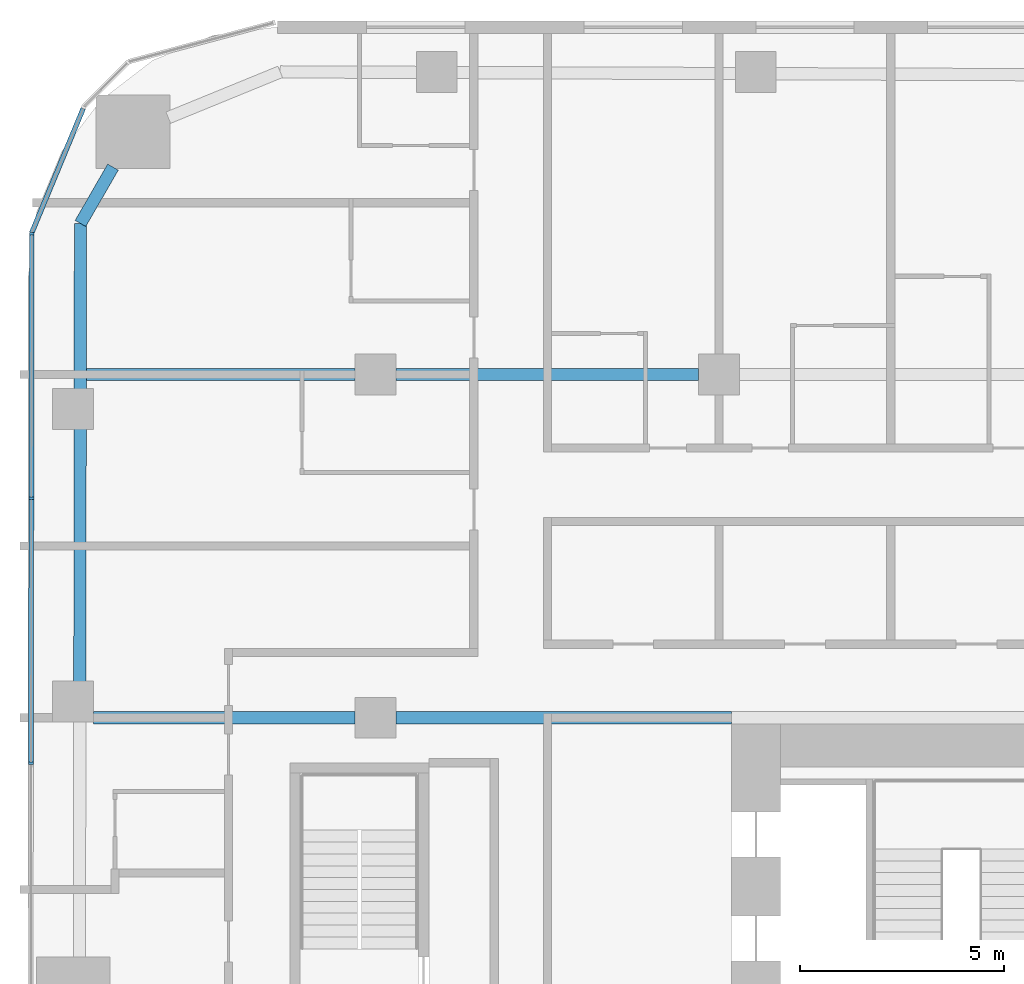
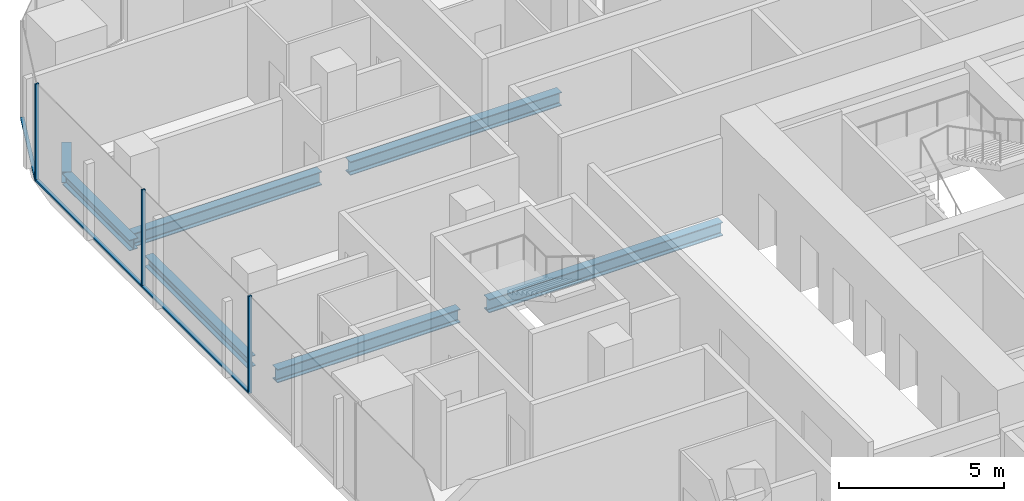
# One storey, part 8 of 26: 7 beams, 6 members, 2 elements without a shape of their own.
"""IFC4 building model written with IfcOpenShell, lengths in metres."""

from ifc_helpers import new_model, si_unit, direction, frame, origin, origin_2d, place, context, subcontext, project, spatial, rectangle, i_section, extrude, material, layer, layer_set, material_profile, profile_set, type_object, element, aggregate, save


model = new_model("IFC4")

# Units and contexts
model_context = context("Model", 3, precision=1e-05, world=origin(), true_north=direction((0.0, 1.0)))
body_context = subcontext(model_context, "Body", "Model", "MODEL_VIEW")
ifc_project = project(units=[si_unit("LENGTHUNIT", "METRE"), si_unit("AREAUNIT", "SQUARE_METRE"), si_unit("VOLUMEUNIT", "CUBIC_METRE"), si_unit("PLANEANGLEUNIT", "RADIAN"), si_unit("MASSUNIT", "GRAM", prefix="KILO")], contexts=[model_context])

# Site, building, storey
site_placement = place(None, origin())
site = spatial("IfcSite", under=ifc_project, at=site_placement, CompositionType="ELEMENT")
building_placement = place(site_placement, origin())
building = spatial("IfcBuilding", under=site, at=building_placement, Name="Marenta Gate Hotel Tower", CompositionType="ELEMENT")
storey_placement = place(building_placement, frame((0.0, 0.0, 58.10009765625)))
storey = spatial("IfcBuildingStorey", under=building, at=storey_placement, Name="L12", CompositionType="ELEMENT", Elevation=58.10009765625)

# Beams
ifc_material_1 = material(Name="Steel S355", Category="steel")
ifc_material_profile_1 = material_profile(ifc_material_1, i_section(OverallWidth=0.300048828125, OverallDepth=0.39990234375, WebThickness=0.013427734375, FlangeThickness=0.02392578125, FilletRadius=0.027099609375, at=origin_2d()), Name="HEB 400")
ifc_profile_set_1 = profile_set([ifc_material_profile_1], Name="Steel S355")
beam_type_1 = type_object("IfcBeamType", Name="Edge beam HEB 400", PredefinedType="SPANDREL", material=ifc_profile_set_1)
beam_1_placement = place(storey_placement, frame((-28.23681640625, 17.6630859375, -0.460205078125), z_axis=(0.001370827476, 0.999999060416, 0.0), x_axis=(-0.999999060416, 0.001370827476, 0.0)))
element("IfcBeam", 1, at=beam_1_placement, inside=storey, type_object=beam_type_1, Name="L12-EB-9", PredefinedType="SPANDREL", context=body_context, shape_type="SweptSolid", body=[
    extrude(i_section(OverallWidth=0.300048828125, OverallDepth=0.39990234375, WebThickness=0.013427734375, FlangeThickness=0.02392578125, FilletRadius=0.027099609375, at=origin_2d()), origin(), (0.0, 0.0, 1.0), 6.2333984375),
])
beam_2_placement = place(storey_placement, frame((-28.22705078125, 24.81640625, -0.460205078125), z_axis=(0.001377821732, 0.999999050803, 0.0), x_axis=(-0.999999050803, 0.001377821732, 0.0)))
element("IfcBeam", 2, at=beam_2_placement, inside=storey, type_object=beam_type_1, Name="L12-EB-10", PredefinedType="SPANDREL", context=body_context, shape_type="SweptSolid", body=[
    extrude(i_section(OverallWidth=0.300048828125, OverallDepth=0.39990234375, WebThickness=0.013427734375, FlangeThickness=0.02392578125, FilletRadius=0.027099609375, at=origin_2d()), origin(), (0.0, 0.0, 1.0), 4.075439453125),
])
beam_3_placement = place(storey_placement, frame((-28.221435546875, 28.891845703125, -0.460205078125), z_axis=(0.500098681536, 0.865968422476, 0.0), x_axis=(-0.865968422476, 0.500098681536, 0.0)))
element("IfcBeam", 3, at=beam_3_placement, inside=storey, type_object=beam_type_1, Name="L12-EB-11", PredefinedType="SPANDREL", context=body_context, shape_type="SweptSolid", body=[
    extrude(i_section(OverallWidth=0.300048828125, OverallDepth=0.39990234375, WebThickness=0.013427734375, FlangeThickness=0.02392578125, FilletRadius=0.027099609375, at=origin_2d()), origin(), (0.0, 0.0, 1.0), 1.591552734375),
])
ifc_material_2 = material(Name="Steel S355", Category="steel")
ifc_material_profile_2 = material_profile(ifc_material_2, i_section(OverallWidth=0.300048828125, OverallDepth=0.5, WebThickness=0.014404296875, FlangeThickness=0.028076171875, FilletRadius=0.027099609375, at=origin_2d()), Name="HEB 500")
ifc_profile_set_2 = profile_set([ifc_material_profile_2], Name="Steel S355")
beam_type_2 = type_object("IfcBeamType", Name="Girder HEB 500", PredefinedType="BEAM", material=ifc_profile_set_2)
beam_4_placement = place(storey_placement, frame((-27.89990234375, 16.800048828125, -0.510009765625), z_axis=(1.0, 0.0, 0.0), x_axis=(0.0, 1.0, 0.0)))
element("IfcBeam", 4, at=beam_4_placement, inside=storey, type_object=beam_type_2, Name="L12-GD-17", PredefinedType="BEAM", context=body_context, shape_type="SweptSolid", body=[
    extrude(i_section(OverallWidth=0.300048828125, OverallDepth=0.5, WebThickness=0.014404296875, FlangeThickness=0.028076171875, FilletRadius=0.027099609375, at=origin_2d()), origin(), (0.0, 0.0, 1.0), 6.39990234375),
])
beam_5_placement = place(storey_placement, frame((-20.5, 16.800048828125, -0.510009765625), z_axis=(1.0, 0.0, 0.0), x_axis=(0.0, 1.0, 0.0)))
element("IfcBeam", 5, at=beam_5_placement, inside=storey, type_object=beam_type_2, Name="L12-GD-18", PredefinedType="BEAM", context=body_context, shape_type="SweptSolid", body=[
    extrude(i_section(OverallWidth=0.300048828125, OverallDepth=0.5, WebThickness=0.014404296875, FlangeThickness=0.028076171875, FilletRadius=0.027099609375, at=origin_2d()), origin(), (0.0, 0.0, 1.0), 8.199951171875),
])
beam_6_placement = place(storey_placement, frame((-28.076416015625, 25.199951171875, -0.510009765625), z_axis=(1.0, 0.0, 0.0), x_axis=(0.0, 1.0, 0.0)))
element("IfcBeam", 6, at=beam_6_placement, inside=storey, type_object=beam_type_2, Name="L12-GD-22", PredefinedType="BEAM", context=body_context, shape_type="SweptSolid", body=[
    extrude(i_section(OverallWidth=0.300048828125, OverallDepth=0.5, WebThickness=0.014404296875, FlangeThickness=0.028076171875, FilletRadius=0.027099609375, at=origin_2d()), origin(), (0.0, 0.0, 1.0), 6.576416015625),
])
beam_7_placement = place(storey_placement, frame((-20.5, 25.199951171875, -0.510009765625), z_axis=(1.0, 0.0, 0.0), x_axis=(0.0, 1.0, 0.0)))
element("IfcBeam", 7, at=beam_7_placement, inside=storey, type_object=beam_type_2, Name="L12-GD-23", PredefinedType="BEAM", context=body_context, shape_type="SweptSolid", body=[
    extrude(i_section(OverallWidth=0.300048828125, OverallDepth=0.5, WebThickness=0.014404296875, FlangeThickness=0.028076171875, FilletRadius=0.027099609375, at=origin_2d()), origin(), (0.0, 0.0, 1.0), 7.39990234375),
])

# Curtain wall, members
ifc_material_3 = material(Name="Tinted insulated glass in bronze anodised frame", Category="glass")
ifc_layer = layer(ifc_material_3, 0.1201171875)
ifc_layer_set = layer_set([ifc_layer], Name="Tinted insulated glass in bronze anodised frame")
curtain_wall_type = type_object("IfcCurtainWallType", Name="Tower unitised curtain wall CW1", PredefinedType="NOTDEFINED", material=ifc_layer_set)
curtain_wall_1_placement = place(storey_placement, origin())
curtain_wall_1 = element("IfcCurtainWall", 8, at=curtain_wall_1_placement, inside=storey, type_object=curtain_wall_type, Name="CW1 run G03", PredefinedType="NOTDEFINED")
ifc_material_4 = material(Name="Bronze anodised aluminium", Category="aluminium")
ifc_material_profile_3 = material_profile(ifc_material_4, rectangle(XDim=0.1201171875, YDim=0.06005859375, at=origin_2d()), Name="Mullion CW1 60x120 bronze anodised aluminium")
ifc_profile_set_3 = profile_set([ifc_material_profile_3], Name="Bronze anodised aluminium")
member_type_1 = type_object("IfcMemberType", Name="Mullion CW1 60x120 bronze anodised aluminium", PredefinedType="MULLION", material=ifc_profile_set_3)
member_1_placement = place(storey_placement, frame((-29.412353515625, 28.63623046875, 0.0), z_axis=(0.0, 0.0, 1.0), x_axis=(0.99999877316, -0.00156642217, 0.0)))
member_1 = element("IfcMember", 9, at=member_1_placement, type_object=member_type_1, Name="CW1 mullion 1", PredefinedType="MULLION", context=body_context, shape_type="SweptSolid", body=[
    extrude(rectangle(XDim=0.1201171875, YDim=0.06005859375, at=origin_2d()), origin(), (0.0, 0.0, 1.0), 3.599853515625),
])
member_2_placement = place(storey_placement, frame((-29.42236328125, 22.17578125, 0.0), z_axis=(0.0, 0.0, 1.0), x_axis=(0.99999877316, -0.00156642217, 0.0)))
member_2 = element("IfcMember", 10, at=member_2_placement, type_object=member_type_1, Name="CW1 mullion 2", PredefinedType="MULLION", context=body_context, shape_type="SweptSolid", body=[
    extrude(rectangle(XDim=0.1201171875, YDim=0.06005859375, at=origin_2d()), origin(), (0.0, 0.0, 1.0), 3.599853515625),
])
member_3_placement = place(storey_placement, frame((-29.4326171875, 15.685546875, 0.0), z_axis=(0.0, 0.0, 1.0), x_axis=(0.99999877316, -0.00156642217, 0.0)))
member_3 = element("IfcMember", 11, at=member_3_placement, type_object=member_type_1, Name="CW1 mullion 3", PredefinedType="MULLION", context=body_context, shape_type="SweptSolid", body=[
    extrude(rectangle(XDim=0.1201171875, YDim=0.06005859375, at=origin_2d()), origin(), (0.0, 0.0, 1.0), 3.599853515625),
])

# Curtain wall, member
curtain_wall_2_placement = place(storey_placement, origin())
curtain_wall_2 = element("IfcCurtainWall", 12, at=curtain_wall_2_placement, inside=storey, type_object=curtain_wall_type, Name="CW1 run G02", PredefinedType="NOTDEFINED")
ifc_material_5 = material(Name="Bronze anodised aluminium", Category="aluminium")
ifc_material_profile_4 = material_profile(ifc_material_5, rectangle(XDim=0.1201171875, YDim=0.06005859375, at=origin_2d()), Name="Transom CW1 60x120 bronze anodised aluminium")
ifc_profile_set_4 = profile_set([ifc_material_profile_4], Name="Bronze anodised aluminium")
member_type_2 = type_object("IfcMemberType", Name="Transom CW1 60x120 bronze anodised aluminium", PredefinedType="USERDEFINED", material=ifc_profile_set_4)
member_4_placement = place(storey_placement, frame((-28.15380859375, 31.704345703125, 0.02978515625), z_axis=(-0.382716791654, -0.923865713936, 0.0), x_axis=(0.923865713936, -0.382716791654, 0.0)))
member_4 = element("IfcMember", 13, at=member_4_placement, type_object=member_type_2, Name="CW1 transom 1.1", ObjectType="TRANSOM", PredefinedType="USERDEFINED", context=body_context, shape_type="SweptSolid", body=[
    extrude(rectangle(XDim=0.1201171875, YDim=0.06005859375, at=origin_2d()), origin(), (0.0, 0.0, 1.0), 3.288330078125),
])
aggregate(curtain_wall_2, [member_4])

# Member
member_5_placement = place(storey_placement, frame((-29.412353515625, 28.606201171875, 0.02978515625), z_axis=(-0.001563928512, -0.999998777063, 0.0), x_axis=(0.999998777063, -0.001563928512, 0.0)))
member_5 = element("IfcMember", 14, at=member_5_placement, type_object=member_type_2, Name="CW1 transom 1.1", ObjectType="TRANSOM", PredefinedType="USERDEFINED", context=body_context, shape_type="SweptSolid", body=[
    extrude(rectangle(XDim=0.1201171875, YDim=0.06005859375, at=origin_2d()), origin(), (0.0, 0.0, 1.0), 6.400390625),
])

member_6_placement = place(storey_placement, frame((-29.422607421875, 22.145751953125, 0.02978515625), z_axis=(-0.001556684271, -0.999998788366, 0.0), x_axis=(0.999998788366, -0.001556684271, 0.0)))
member_6 = element("IfcMember", 15, at=member_6_placement, type_object=member_type_2, Name="CW1 transom 2.1", ObjectType="TRANSOM", PredefinedType="USERDEFINED", context=body_context, shape_type="SweptSolid", body=[
    extrude(rectangle(XDim=0.1201171875, YDim=0.06005859375, at=origin_2d()), origin(), (0.0, 0.0, 1.0), 6.43017578125),
])

aggregate(curtain_wall_1, [member_1, member_2, member_3, member_5, member_6])

save(model, "model.ifc")
